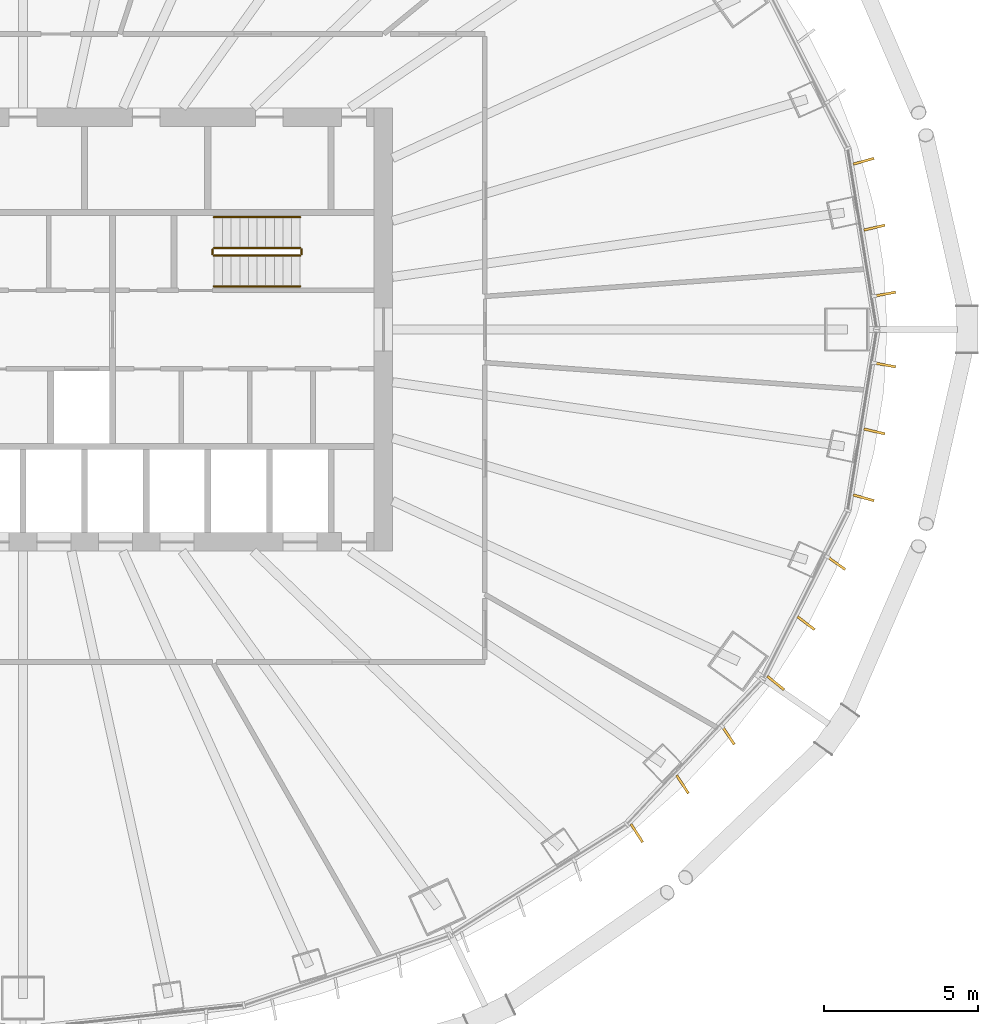
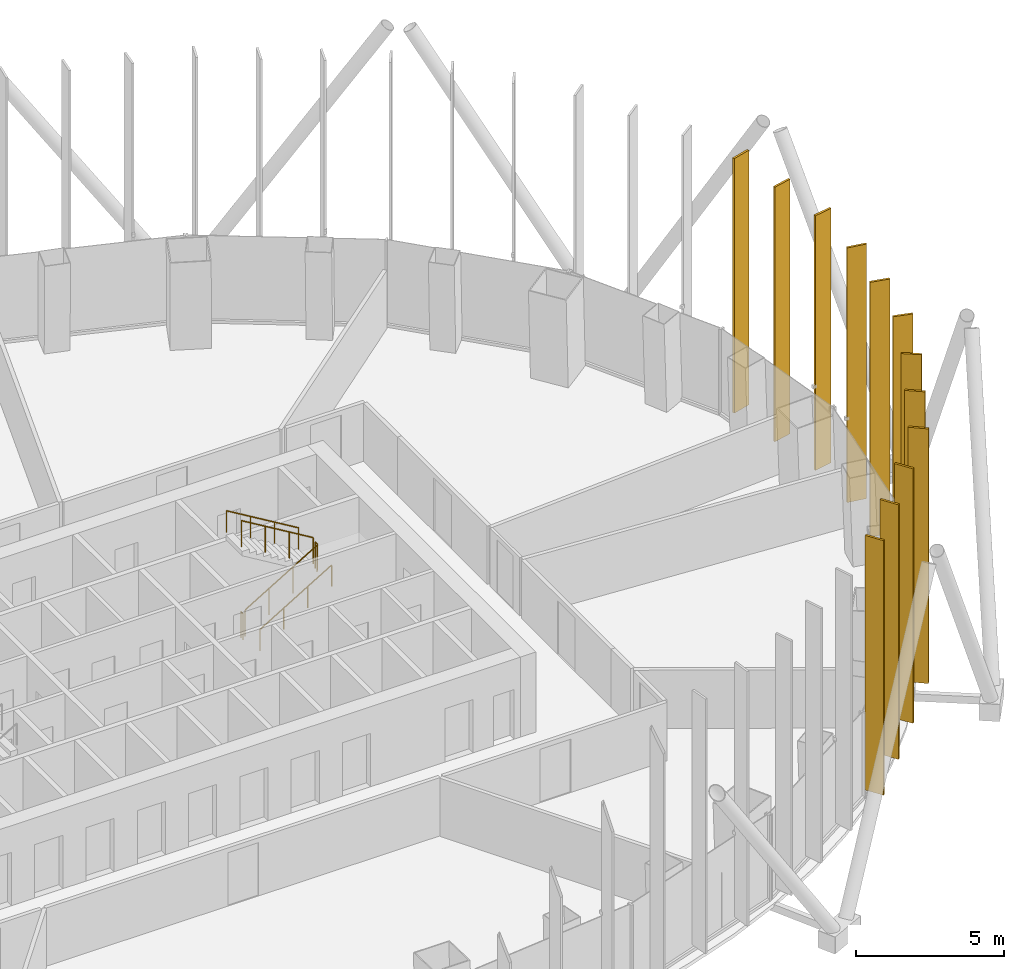
# One storey, part 21 of 22: 12 shading devices, 6 railings.
"""IFC4 building model written with IfcOpenShell, lengths in metres."""

from ifc_helpers import new_model, si_unit, direction, frame, origin, origin_2d, place, context, subcontext, project, spatial, rectangle, circle, extrude, material, layer, layer_set, type_object, element, save


model = new_model("IFC4")

# Units and contexts
model_context = context("Model", 3, precision=1e-05, world=origin(), true_north=direction((0.0, 1.0)))
body_context = subcontext(model_context, "Body", "Model", "MODEL_VIEW")
ifc_project = project(units=[si_unit("LENGTHUNIT", "METRE"), si_unit("AREAUNIT", "SQUARE_METRE"), si_unit("VOLUMEUNIT", "CUBIC_METRE"), si_unit("PLANEANGLEUNIT", "RADIAN"), si_unit("MASSUNIT", "GRAM", prefix="KILO")], contexts=[model_context])

# Site, building, storey
site_placement = place(None, origin())
site = spatial("IfcSite", under=ifc_project, at=site_placement, CompositionType="ELEMENT")
building_placement = place(site_placement, origin())
building = spatial("IfcBuilding", under=site, at=building_placement, Name="Siaravel Broadcast Tower", CompositionType="ELEMENT")
storey_placement = place(building_placement, frame((0.0, 0.0, 48.199951171875)))
storey = spatial("IfcBuildingStorey", under=building, at=storey_placement, Name="L10", CompositionType="ELEMENT", Elevation=48.199951171875)

# Shading devices
ifc_material_1 = material(Name="Bronze anodised aluminium", Category="aluminium")
ifc_layer = layer(ifc_material_1, 0.080078125)
ifc_layer_set = layer_set([ifc_layer], Name="Bronze anodised aluminium")
shading_device_type = type_object("IfcShadingDeviceType", Name="Bronze fin zone 1", PredefinedType="USERDEFINED", material=ifc_layer_set)
for number, where, z_axis, x_axis, name in (
    (1, (28.00048828125, 1.150634765625, 0.300048828125), (0.0, 0.0, 1.0), (0.983392347, 0.181492401, 0.0), "Bronze fin L10-01"),
    (2, (27.65283203125, 3.309326171875, 0.300048828125), (0.0, 0.0, 1.0), (0.97403132, 0.226413313, 0.0), "Bronze fin L10-02"),
    (3, (27.3046875, 5.467041015625, 0.300048828125), (0.0, 0.0, 1.0), (0.963326193, 0.268333089, 0.0), "Bronze fin L10-03"),
    (4, (19.936279296875, -16.359375, 0.300048828125), (0.0, 0.0, 1.0), (0.542740615, -0.839900366, 0.0), "Bronze fin L10-65"),
    (5, (21.42138671875, -14.7744140625, 0.300048828125), (0.0, 0.0, 1.0), (0.546167754, -0.837675823, 0.0), "Bronze fin L10-66"),
    (6, (22.90869140625, -13.18798828125, 0.300048828125), (0.0, 0.0, 1.0), (0.555856084, -0.831278542, 0.0), "Bronze fin L10-67"),
    (7, (24.4482421875, -11.483154296875, 0.300048828125), (0.0, 0.0, 1.0), (0.77872735, -0.627362506, 0.0), "Bronze fin L10-68"),
    (8, (25.43359375, -9.538818359375, 0.300048828125), (0.0, 0.0, 1.0), (0.795108448, -0.606467276, 0.0), "Bronze fin L10-69"),
    (9, (26.419921875, -7.592529296875, 0.300048828125), (0.0, 0.0, 1.0), (0.814694845, -0.579889912, 0.0), "Bronze fin L10-70"),
    (10, (27.3046875, -5.467041015625, 0.300048828125), (0.0, 0.0, 1.0), (0.963326193, -0.268333089, 0.0), "Bronze fin L10-71"),
    (11, (27.65283203125, -3.309326171875, 0.300048828125), (0.0, 0.0, 1.0), (0.97403132, -0.226413313, 0.0), "Bronze fin L10-72"),
    (12, (28.00048828125, -1.150634765625, 0.300048828125), (0.0, 0.0, 1.0), (0.983392347, -0.181492401, 0.0), "Bronze fin L10-73"),
):
    element("IfcShadingDevice", number, at=place(storey_placement, frame(where, z_axis=z_axis, x_axis=x_axis)), inside=storey, type_object=shading_device_type, Name=name, ObjectType="FIN", PredefinedType="USERDEFINED", context=body_context, shape_type="SweptSolid", body=[
        extrude(rectangle(XDim=0.699951171875, YDim=0.080078125, at=origin_2d()), origin(), (0.0, 0.0, 1.0), 10.5),
    ])

# Railings
ifc_material_2 = material(Name="Stainless steel 316L", Category="steel")
railing_type_1 = type_object("IfcRailingType", Name="Stair guard 1100", PredefinedType="GUARDRAIL", material=ifc_material_2)
railing_1_placement = place(storey_placement, frame((6.199951171875, 2.39990234375, 0.168212890625)))
element("IfcRailing", 13, at=railing_1_placement, inside=storey, type_object=railing_type_1, Name="L10 ST-2 stair guard 1", PredefinedType="GUARDRAIL", context=body_context, shape_type="SweptSolid", body=[
    extrude(circle(Radius=0.02392578125, at=origin_2d()), frame((0.0, 0.0, 1.076171875), z_axis=(0.857242211, 0.0, 0.514913383), x_axis=(0.0, 1.0, 0.0)), (0.0, 0.0, 1.0), 3.266357421875),
    extrude(circle(Radius=0.02099609375, at=origin_2d()), origin(), (0.0, 0.0, 1.0), 1.052001953125),
    extrude(circle(Radius=0.02099609375, at=origin_2d()), frame((0.933349609375, 0.0, 0.560546875)), (0.0, 0.0, 1.0), 1.052001953125),
    extrude(circle(Radius=0.02099609375, at=origin_2d()), frame((1.86669921875, 0.0, 1.121337890625)), (0.0, 0.0, 1.0), 1.052001953125),
    extrude(circle(Radius=0.02099609375, at=origin_2d()), frame((2.800048828125, 0.0, 1.681884765625)), (0.0, 0.0, 1.0), 1.052001953125),
])
railing_2_placement = place(storey_placement, frame((9.050048828125, 2.449951171875, 1.85009765625)))
element("IfcRailing", 14, at=railing_2_placement, inside=storey, type_object=railing_type_1, Name="L10 ST-2 stair guard 2", PredefinedType="GUARDRAIL", context=body_context, shape_type="SweptSolid", body=[
    extrude(circle(Radius=0.02392578125, at=origin_2d()), frame((0.0, 0.0, 1.076171875), z_axis=(0.0, 1.0, 0.0), x_axis=(-1.0, 0.0, 0.0)), (0.0, 0.0, 1.0), 0.150146484375),
    extrude(circle(Radius=0.02099609375, at=origin_2d()), origin(), (0.0, 0.0, 1.0), 1.052001953125),
    extrude(circle(Radius=0.02099609375, at=origin_2d()), frame((0.0, 0.150146484375, 0.0)), (0.0, 0.0, 1.0), 1.052001953125),
])
railing_3_placement = place(storey_placement, frame((9.0, 2.64990234375, 2.018310546875)))
element("IfcRailing", 15, at=railing_3_placement, inside=storey, type_object=railing_type_1, Name="L10 ST-2 stair guard 3", PredefinedType="GUARDRAIL", context=body_context, shape_type="SweptSolid", body=[
    extrude(circle(Radius=0.02392578125, at=origin_2d()), frame((0.0, 0.0, 1.076171875), z_axis=(-0.857275203, 0.0, 0.514858453), x_axis=(0.0, -1.0, 0.0)), (0.0, 0.0, 1.0), 3.26611328125),
    extrude(circle(Radius=0.02099609375, at=origin_2d()), origin(), (0.0, 0.0, 1.0), 1.052001953125),
    extrude(circle(Radius=0.02099609375, at=origin_2d()), frame((-0.933349609375, 0.0, 0.560546875)), (0.0, 0.0, 1.0), 1.052001953125),
    extrude(circle(Radius=0.02099609375, at=origin_2d()), frame((-1.86669921875, 0.0, 1.12109375)), (0.0, 0.0, 1.0), 1.052001953125),
    extrude(circle(Radius=0.02099609375, at=origin_2d()), frame((-2.800048828125, 0.0, 1.681640625)), (0.0, 0.0, 1.0), 1.052001953125),
])
railing_4_placement = place(storey_placement, frame((6.14990234375, 2.449951171875, 0.0)))
element("IfcRailing", 16, at=railing_4_placement, inside=storey, type_object=railing_type_1, Name="L10 ST-2 stair guard 4", PredefinedType="GUARDRAIL", context=body_context, shape_type="SweptSolid", body=[
    extrude(circle(Radius=0.02392578125, at=origin_2d()), frame((0.0, 0.0, 1.076171875), z_axis=(0.0, 1.0, 0.0), x_axis=(-1.0, 0.0, 0.0)), (0.0, 0.0, 1.0), 0.150146484375),
    extrude(circle(Radius=0.02099609375, at=origin_2d()), origin(), (0.0, 0.0, 1.0), 1.052001953125),
    extrude(circle(Radius=0.02099609375, at=origin_2d()), frame((0.0, 0.150146484375, 0.0)), (0.0, 0.0, 1.0), 1.052001953125),
])
railing_type_2 = type_object("IfcRailingType", Name="Stair handrail 900", PredefinedType="HANDRAIL", material=ifc_material_2)
railing_5_placement = place(storey_placement, frame((6.199951171875, 1.39990234375, 0.168212890625)))
element("IfcRailing", 17, at=railing_5_placement, inside=storey, type_object=railing_type_2, Name="L10 ST-2 stair handrail 1", PredefinedType="HANDRAIL", context=body_context, shape_type="SweptSolid", body=[
    extrude(circle(Radius=0.02392578125, at=origin_2d()), frame((0.0, 0.0, 0.8759765625), z_axis=(0.857242211, 0.0, 0.514913383), x_axis=(0.0, 1.0, 0.0)), (0.0, 0.0, 1.0), 3.266357421875),
    extrude(circle(Radius=0.02099609375, at=origin_2d()), origin(), (0.0, 0.0, 1.0), 0.851806640625),
    extrude(circle(Radius=0.02099609375, at=origin_2d()), frame((0.933349609375, 0.0, 0.560546875)), (0.0, 0.0, 1.0), 0.851806640625),
    extrude(circle(Radius=0.02099609375, at=origin_2d()), frame((1.86669921875, 0.0, 1.121337890625)), (0.0, 0.0, 1.0), 0.851806640625),
    extrude(circle(Radius=0.02099609375, at=origin_2d()), frame((2.800048828125, 0.0, 1.681884765625)), (0.0, 0.0, 1.0), 0.851806640625),
])
railing_6_placement = place(storey_placement, frame((9.0, 3.64990234375, 2.018310546875)))
element("IfcRailing", 18, at=railing_6_placement, inside=storey, type_object=railing_type_2, Name="L10 ST-2 stair handrail 2", PredefinedType="HANDRAIL", context=body_context, shape_type="SweptSolid", body=[
    extrude(circle(Radius=0.02392578125, at=origin_2d()), frame((0.0, 0.0, 0.8759765625), z_axis=(-0.857275203, 0.0, 0.514858453), x_axis=(0.0, -1.0, 0.0)), (0.0, 0.0, 1.0), 3.26611328125),
    extrude(circle(Radius=0.02099609375, at=origin_2d()), origin(), (0.0, 0.0, 1.0), 0.851806640625),
    extrude(circle(Radius=0.02099609375, at=origin_2d()), frame((-0.933349609375, 0.0, 0.560546875)), (0.0, 0.0, 1.0), 0.851806640625),
    extrude(circle(Radius=0.02099609375, at=origin_2d()), frame((-1.86669921875, 0.0, 1.12109375)), (0.0, 0.0, 1.0), 0.851806640625),
    extrude(circle(Radius=0.02099609375, at=origin_2d()), frame((-2.800048828125, 0.0, 1.681640625)), (0.0, 0.0, 1.0), 0.851806640625),
])

save(model, "model.ifc")
